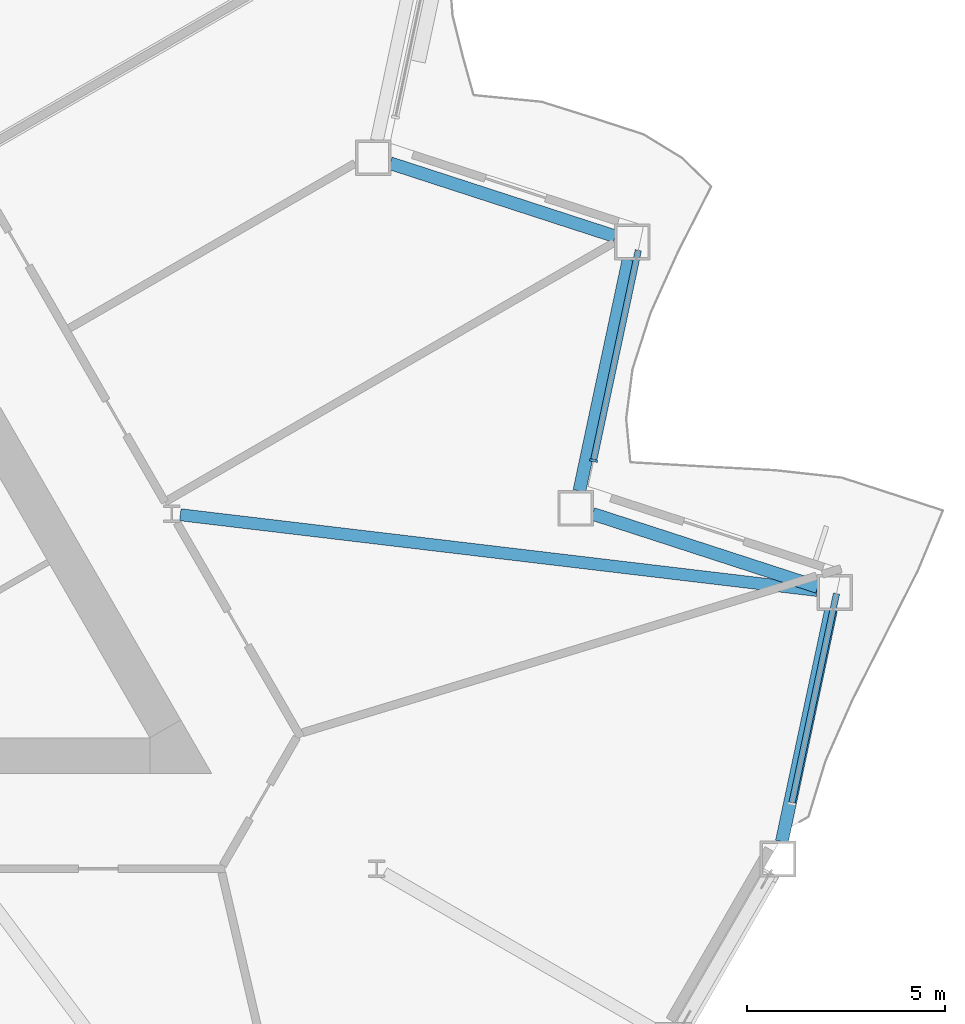
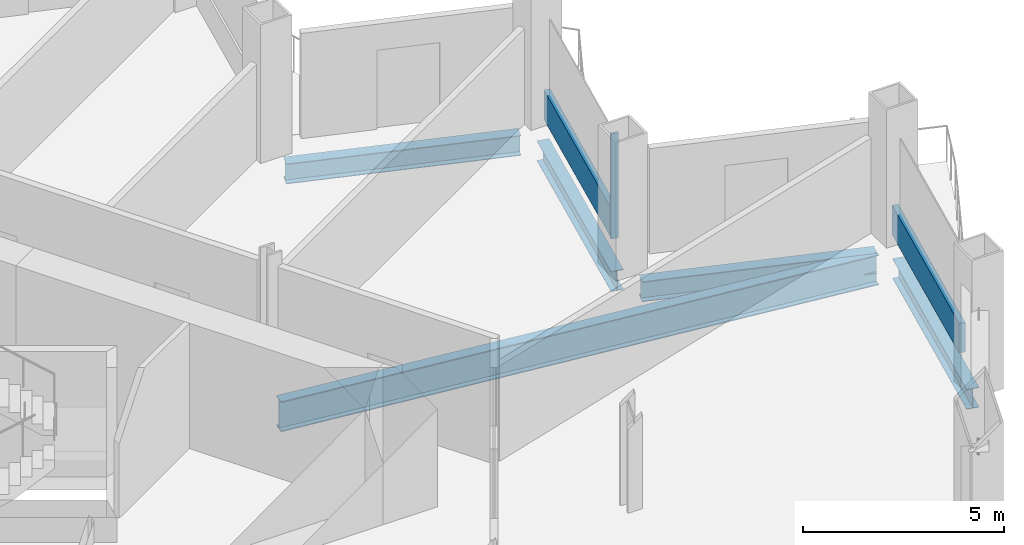
# One storey, part 6 of 21: 5 beams, 3 members, 2 elements without a shape of their own.
"""IFC4 building model written with IfcOpenShell, lengths in metres."""

from ifc_helpers import new_model, si_unit, direction, frame, origin, origin_2d, place, context, subcontext, project, spatial, rectangle, i_section, extrude, material, layer, layer_set, material_profile, profile_set, type_object, element, aggregate, save


model = new_model("IFC4")

# Units and contexts
model_context = context("Model", 3, precision=1e-05, world=origin(), true_north=direction((0.0, 1.0)))
body_context = subcontext(model_context, "Body", "Model", "MODEL_VIEW")
ifc_project = project(units=[si_unit("LENGTHUNIT", "METRE"), si_unit("AREAUNIT", "SQUARE_METRE"), si_unit("VOLUMEUNIT", "CUBIC_METRE"), si_unit("PLANEANGLEUNIT", "RADIAN"), si_unit("MASSUNIT", "GRAM", prefix="KILO")], contexts=[model_context])

# Site, building, storey
site_placement = place(None, origin())
site = spatial("IfcSite", under=ifc_project, at=site_placement, CompositionType="ELEMENT")
building_placement = place(site_placement, origin())
building = spatial("IfcBuilding", under=site, at=building_placement, Name="Cormorant Prow Tower", CompositionType="ELEMENT")
storey_placement = place(building_placement, frame((0.0, 0.0, 108.0)))
storey = spatial("IfcBuildingStorey", under=building, at=storey_placement, Name="L22", CompositionType="ELEMENT", Elevation=108.0)

# Curtain wall, member
ifc_material_1 = material(Name="Aluminium 6063-T6", Category="aluminium")
ifc_layer = layer(ifc_material_1, 0.199951171875)
ifc_layer_set = layer_set([ifc_layer], Name="Aluminium 6063-T6")
curtain_wall_type = type_object("IfcCurtainWallType", Name="Office unitised curtain wall 200", PredefinedType="NOTDEFINED", material=ifc_layer_set)
curtain_wall_1_placement = place(storey_placement, origin())
curtain_wall_1 = element("IfcCurtainWall", 1, at=curtain_wall_1_placement, inside=storey, type_object=curtain_wall_type, Name="Office curtain wall ENE02", PredefinedType="NOTDEFINED")
ifc_material_2 = material(Name="Aluminium 6063-T6", Category="aluminium")
ifc_material_profile_1 = material_profile(ifc_material_2, rectangle(XDim=0.199951171875, YDim=0.06005859375, at=origin_2d()), Name="Office mullion 60x200")
ifc_profile_set_1 = profile_set([ifc_material_profile_1], Name="Aluminium 6063-T6")
member_type_1 = type_object("IfcMemberType", Name="Office mullion 60x200", PredefinedType="MULLION", material=ifc_profile_set_1)
member_1_placement = place(storey_placement, frame((26.121337890625, -1.642333984375, 0.0), z_axis=(0.0, 0.0, 1.0), x_axis=(-0.978147583933, 0.207911769861, 0.0)))
member_1 = element("IfcMember", 2, at=member_1_placement, type_object=member_type_1, Name="Office mullion ENE02", PredefinedType="MULLION", context=body_context, shape_type="SweptSolid", body=[
    extrude(rectangle(XDim=0.199951171875, YDim=0.06005859375, at=origin_2d()), origin(), (0.0, 0.0, 1.0), 3.18896484375),
])

curtain_wall_2_placement = place(storey_placement, origin())
curtain_wall_2 = element("IfcCurtainWall", 3, at=curtain_wall_2_placement, inside=storey, type_object=curtain_wall_type, Name="Office curtain wall ENE00", PredefinedType="NOTDEFINED")
ifc_material_3 = material(Name="Terracotta", Category="masonry")
ifc_material_profile_2 = material_profile(ifc_material_3, rectangle(XDim=0.159912109375, YDim=0.89990234375, at=origin_2d()), Name="Office terracotta spandrel rail 160x900")
ifc_profile_set_2 = profile_set([ifc_material_profile_2], Name="Terracotta")
member_type_2 = type_object("IfcMemberType", Name="Office terracotta spandrel rail 160x900", PredefinedType="USERDEFINED", material=ifc_profile_set_2)
member_2_placement = place(storey_placement, frame((31.120361328125, -10.2607421875, 0.449951171875), z_axis=(0.207903748135, 0.978149288969, 0.0), x_axis=(-0.978149288969, 0.207903748135, 0.0)))
member_2 = element("IfcMember", 4, at=member_2_placement, type_object=member_type_2, Name="Office spandrel rail ENE00", ObjectType="TRANSOM", PredefinedType="USERDEFINED", context=body_context, shape_type="SweptSolid", body=[
    extrude(rectangle(XDim=0.159912109375, YDim=0.89990234375, at=origin_2d()), origin(), (0.0, 0.0, 1.0), 5.386474609375),
])
aggregate(curtain_wall_2, [member_2])

# Member
member_3_placement = place(storey_placement, frame((26.127685546875, -1.613037109375, 0.449951171875), z_axis=(0.207912965778, 0.978147329732, 0.0), x_axis=(-0.978147329732, 0.207912965778, 0.0)))
member_3 = element("IfcMember", 5, at=member_3_placement, type_object=member_type_2, Name="Office spandrel rail ENE02", ObjectType="TRANSOM", PredefinedType="USERDEFINED", context=body_context, shape_type="SweptSolid", body=[
    extrude(rectangle(XDim=0.159912109375, YDim=0.89990234375, at=origin_2d()), origin(), (0.0, 0.0, 1.0), 5.38623046875),
])

aggregate(curtain_wall_1, [member_1, member_3])

# Beams
ifc_material_4 = material(Name="Structural steel ASTM A992 Gr 50", Category="steel")
ifc_material_profile_3 = material_profile(ifc_material_4, i_section(OverallWidth=0.3046875, OverallDepth=0.914794921875, WebThickness=0.0166015625, FlangeThickness=0.02587890625, at=origin_2d()), Name="W36x160")
ifc_profile_set_3 = profile_set([ifc_material_profile_3], Name="Structural steel ASTM A992 Gr 50")
beam_type_1 = type_object("IfcBeamType", Name="Radial floor beam W36x160", PredefinedType="BEAM", material=ifc_profile_set_3)
beam_1_placement = place(storey_placement, frame((15.70849609375, -3.00732421875, -0.857421875), z_axis=(0.993009167646, -0.118037252474, 0.0), x_axis=(0.118037252474, 0.993009167646, 0.0)))
element("IfcBeam", 6, at=beam_1_placement, inside=storey, type_object=beam_type_1, Name="Radial floor beam FB1 10 L22", PredefinedType="BEAM", context=body_context, shape_type="SweptSolid", body=[
    extrude(i_section(OverallWidth=0.3046875, OverallDepth=0.914794921875, WebThickness=0.0166015625, FlangeThickness=0.02587890625, at=origin_2d()), origin(), (0.0, 0.0, 1.0), 16.15380859375),
])
ifc_material_5 = material(Name="Structural steel ASTM A992 Gr 50", Category="steel")
ifc_material_profile_4 = material_profile(ifc_material_5, i_section(OverallWidth=0.32373046875, OverallDepth=0.611083984375, WebThickness=0.0126953125, FlangeThickness=0.01904296875, at=origin_2d()), Name="W24x104")
ifc_profile_set_4 = profile_set([ifc_material_profile_4], Name="Structural steel ASTM A992 Gr 50")
beam_type_2 = type_object("IfcBeamType", Name="Spandrel beam W24x104", PredefinedType="SPANDREL", material=ifc_profile_set_4)
beam_2_placement = place(storey_placement, frame((30.86279296875, -11.23974609375, -0.70556640625), z_axis=(0.207912620873, 0.978147403044, 0.0), x_axis=(-0.978147403044, 0.207912620873, 0.0)))
element("IfcBeam", 7, at=beam_2_placement, inside=storey, type_object=beam_type_2, Name="Spandrel beam SB1 ENE00-ENE01 L22", PredefinedType="SPANDREL", context=body_context, shape_type="SweptSolid", body=[
    extrude(i_section(OverallWidth=0.32373046875, OverallDepth=0.611083984375, WebThickness=0.0126953125, FlangeThickness=0.01904296875, at=origin_2d()), origin(), (0.0, 0.0, 1.0), 5.962890625),
])
for number, where, z_axis, x_axis, name in (
    (8, (31.768310546875, -4.828125, -0.70556640625), (-0.951059340519, 0.309008302174, 0.0), (-0.309008302174, -0.951059340519, 0.0), "Spandrel beam SB1 ENE01-ENE02 L22"),
    (9, (25.762939453125, -2.40625, -0.70556640625), (0.207920947907, 0.978145633033, 0.0), (-0.978145633033, 0.207920947907, 0.0), "Spandrel beam SB1 ENE02-ENE03 L22"),
):
    element("IfcBeam", number, at=place(storey_placement, frame(where, z_axis=z_axis, x_axis=x_axis)), inside=storey, type_object=beam_type_2, Name=name, PredefinedType="SPANDREL", context=body_context, shape_type="SweptSolid", body=[
        extrude(i_section(OverallWidth=0.32373046875, OverallDepth=0.611083984375, WebThickness=0.0126953125, FlangeThickness=0.01904296875, at=origin_2d()), origin(), (0.0, 0.0, 1.0), 5.962646484375),
    ])
beam_3_placement = place(storey_placement, frame((26.668212890625, 4.00537109375, -0.70556640625), z_axis=(-0.951055430656, 0.309020335608, 0.0), x_axis=(-0.309020335608, -0.951055430656, 0.0)))
element("IfcBeam", 10, at=beam_3_placement, inside=storey, type_object=beam_type_2, Name="Spandrel beam SB1 ENE03-ENE04 L22", PredefinedType="SPANDREL", context=body_context, shape_type="SweptSolid", body=[
    extrude(i_section(OverallWidth=0.32373046875, OverallDepth=0.611083984375, WebThickness=0.0126953125, FlangeThickness=0.01904296875, at=origin_2d()), origin(), (0.0, 0.0, 1.0), 5.96240234375),
])

save(model, "model.ifc")
